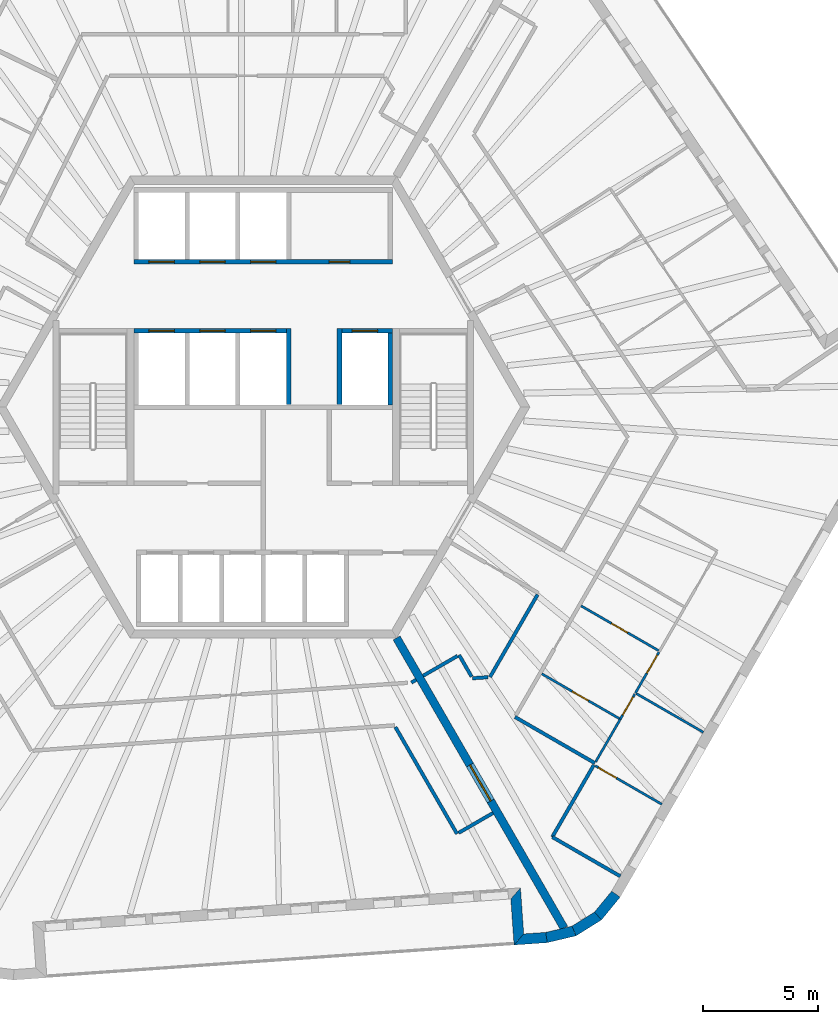
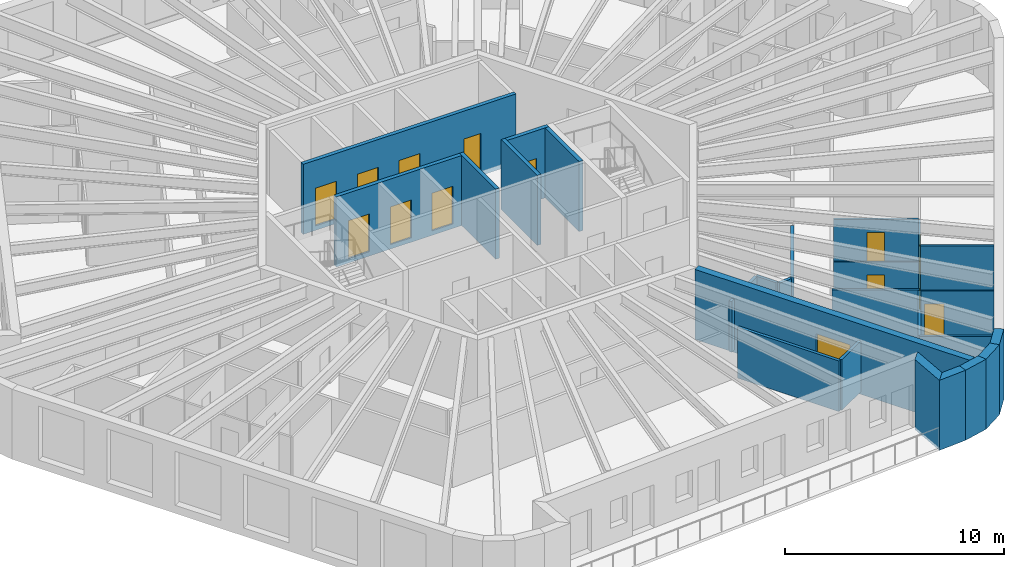
# One storey, part 5 of 11: 29 walls, 14 doors, 14 openings.
"""IFC4 building model written with IfcOpenShell, lengths in metres."""

from ifc_helpers import new_model, si_unit, direction, frame, frame_2d, origin, place, context, subcontext, project, spatial, polyline, rectangle, outline, extrude, material, layer, layer_set, type_object, element, fill, save


model = new_model("IFC4")

# Units and contexts
model_context = context("Model", 3, precision=1e-05, world=origin(), true_north=direction((0.0, 1.0)))
body_context = subcontext(model_context, "Body", "Model", "MODEL_VIEW")
ifc_project = project(units=[si_unit("LENGTHUNIT", "METRE"), si_unit("AREAUNIT", "SQUARE_METRE"), si_unit("VOLUMEUNIT", "CUBIC_METRE"), si_unit("PLANEANGLEUNIT", "RADIAN"), si_unit("MASSUNIT", "GRAM", prefix="KILO")], contexts=[model_context])

# Site, building, storey
site_placement = place(None, origin())
site = spatial("IfcSite", under=ifc_project, at=site_placement, CompositionType="ELEMENT")
building_placement = place(site_placement, origin())
building = spatial("IfcBuilding", under=site, at=building_placement, Name="Tarnside Tower", CompositionType="ELEMENT")
storey_placement = place(building_placement, frame((0.0, 0.0, 357.300048828125)))
storey = spatial("IfcBuildingStorey", under=building, at=storey_placement, Name="L86", CompositionType="ELEMENT", Elevation=357.300048828125)

# Wall, opening, door
ifc_material_1 = material(Name="Gypsum board partition on steel studs", Category="steel")
ifc_layer_1 = layer(ifc_material_1, 0.10009765625)
ifc_layer_set_1 = layer_set([ifc_layer_1], Name="Bathroom wall 100")
wall_type_1 = type_object("IfcWallType", Name="Bathroom wall 100", PredefinedType="PARTITIONING", material=ifc_layer_set_1)
wall_1_placement = place(storey_placement, frame((12.06396484375, -11.5546875, 0.0), z_axis=(0.0, 0.0, 1.0), x_axis=(0.866037464623, -0.499979109433, 0.0)))
wall_1 = element("IfcWall", 1, at=wall_1_placement, inside=storey, type_object=wall_type_1, Name="Bathroom wall 27113", PredefinedType="PARTITIONING", context=body_context, shape_type="SweptSolid", body=[
    extrude(rectangle(XDim=3.925048828125, YDim=0.10009765625, at=frame_2d((1.96240234375, 0.0))), origin(), (0.0, 0.0, 1.0), 2.820068359375),
])
opening_1_placement = place(wall_1_placement, frame((1.52490234375, 0.0, 0.0)))
opening_1 = element("IfcOpeningElement", 2, at=opening_1_placement, cuts=wall_1, Name="Opening D-B1", PredefinedType="OPENING", context=body_context, shape_type="SweptSolid", body=[
    extrude(rectangle(XDim=0.800048828125, YDim=2.10009765625, at=frame_2d((0.39990234375, 1.050048828125))), frame((0.0, 0.06005859375, 0.0), z_axis=(0.0, -1.0, 0.0), x_axis=(1.0, 0.0, 0.0)), (0.0, 0.0, 1.0), 0.1201171875),
])
ifc_material_2 = material(Name="Timber door leaf", Category="wood")
door_type_1 = type_object("IfcDoorType", Name="Bathroom door 800", OperationType="NOTDEFINED", PredefinedType="DOOR", material=ifc_material_2)
door_1_placement = place(opening_1_placement, origin())
door_1 = element("IfcDoor", 3, at=door_1_placement, inside=storey, type_object=door_type_1, Name="Bathroom door 27036", OperationType="SINGLE_SWING_RIGHT", OverallHeight=2.10009765625, OverallWidth=0.800048828125, PredefinedType="DOOR", context=body_context, shape_type="SweptSolid", body=[
    extrude(rectangle(XDim=0.800048828125, YDim=2.10009765625, at=frame_2d((0.39990234375, 1.050048828125))), frame((0.0, 0.02490234375, 0.0), z_axis=(0.0, -1.0, 0.0), x_axis=(1.0, 0.0, 0.0)), (0.0, 0.0, 1.0), 0.050048828125),
])
fill(opening_1, door_1)

wall_2_placement = place(storey_placement, frame((17.119873046875, -10.547607421875, 0.0), z_axis=(0.0, 0.0, 1.0), x_axis=(-0.866032409438, 0.499987865656, 0.0)))
wall_2 = element("IfcWall", 4, at=wall_2_placement, inside=storey, type_object=wall_type_1, Name="Bathroom wall 27115", PredefinedType="PARTITIONING", context=body_context, shape_type="SweptSolid", body=[
    extrude(rectangle(XDim=3.875, YDim=0.10009765625, at=frame_2d((1.9375, 0.0))), origin(), (0.0, 0.0, 1.0), 2.820068359375),
])
opening_2_placement = place(wall_2_placement, frame((1.550048828125, 0.0, 0.0)))
opening_2 = element("IfcOpeningElement", 5, at=opening_2_placement, cuts=wall_2, Name="Opening D-B1", PredefinedType="OPENING", context=body_context, shape_type="SweptSolid", body=[
    extrude(rectangle(XDim=0.800048828125, YDim=2.10009765625, at=frame_2d((0.39990234375, 1.050048828125))), frame((0.0, 0.06005859375, 0.0), z_axis=(0.0, -1.0, 0.0), x_axis=(1.0, 0.0, 0.0)), (0.0, 0.0, 1.0), 0.1201171875),
])
door_2_placement = place(opening_2_placement, origin())
door_2 = element("IfcDoor", 6, at=door_2_placement, inside=storey, type_object=door_type_1, Name="Bathroom door 27042", OperationType="SINGLE_SWING_LEFT", OverallHeight=2.10009765625, OverallWidth=0.800048828125, PredefinedType="DOOR", context=body_context, shape_type="SweptSolid", body=[
    extrude(rectangle(XDim=0.800048828125, YDim=2.10009765625, at=frame_2d((0.39990234375, 1.050048828125))), frame((0.0, 0.02490234375, 0.0), z_axis=(0.0, -1.0, 0.0), x_axis=(1.0, 0.0, 0.0)), (0.0, 0.0, 1.0), 0.050048828125),
])
fill(opening_2, door_2)

# Wall
wall_3_placement = place(storey_placement, frame((14.399658203125, -15.359130859375, 0.0), z_axis=(0.0, 0.0, 1.0), x_axis=(0.499987164874, 0.866032814021, 0.0)))
element("IfcWall", 7, at=wall_3_placement, inside=storey, type_object=wall_type_1, Name="Bathroom wall 27116", PredefinedType="PARTITIONING", context=body_context, shape_type="SweptSolid", body=[
    extrude(rectangle(XDim=2.12890625, YDim=0.10009765625, at=frame_2d((1.064453125, 0.0))), origin(), (0.0, 0.0, 1.0), 2.820068359375),
])

# Wall, opening, door
ifc_material_3 = material(Name="Concrete C50/60", Category="concrete")
ifc_layer_2 = layer(ifc_material_3, 0.35009765625)
ifc_layer_set_2 = layer_set([ifc_layer_2], Name="Core wall Z4 350 C50/60")
wall_type_2 = type_object("IfcWallType", Name="Core wall Z4 350 C50/60", PredefinedType="SHEAR", material=ifc_layer_set_2)
wall_4_placement = place(storey_placement, frame((5.7734375, -10.0, -0.150146484375), z_axis=(0.0, 0.0, 1.0), x_axis=(0.500007911273, -0.866020836161, 0.0)))
wall_4 = element("IfcWall", 8, at=wall_4_placement, inside=storey, type_object=wall_type_2, Name="L86 spine wall 3", PredefinedType="SHEAR", context=body_context, shape_type="SweptSolid", body=[
    extrude(rectangle(XDim=14.510498046875, YDim=0.35009765625, at=frame_2d((7.25537109375, 0.0))), origin(), (0.0, 0.0, 1.0), 3.900146484375),
])
opening_3_placement = place(wall_4_placement, frame((6.355224609375, 0.0, 0.14990234375)))
opening_3 = element("IfcOpeningElement", 9, at=opening_3_placement, cuts=wall_4, Name="Opening CD-SPN", PredefinedType="OPENING", context=body_context, shape_type="SweptSolid", body=[
    extrude(rectangle(XDim=1.800048828125, YDim=2.39990234375, at=frame_2d((0.89990234375, 1.199951171875))), frame((0.0, 0.18505859375, 0.0), z_axis=(0.0, -1.0, 0.0), x_axis=(1.0, 0.0, 0.0)), (0.0, 0.0, 1.0), 0.3701171875),
])
ifc_material_4 = material(Name="Steel fire door", Category="steel")
door_type_2 = type_object("IfcDoorType", Name="Spine passage double door FD60 1800x2400", OperationType="NOTDEFINED", PredefinedType="DOOR", material=ifc_material_4)
door_3_placement = place(opening_3_placement, origin())
door_3 = element("IfcDoor", 10, at=door_3_placement, inside=storey, type_object=door_type_2, Name="L86 spine passage door 3", OperationType="DOUBLE_DOOR_SINGLE_SWING", OverallHeight=2.39990234375, OverallWidth=1.800048828125, PredefinedType="DOOR", context=body_context, shape_type="SweptSolid", body=[
    extrude(rectangle(XDim=1.800048828125, YDim=2.39990234375, at=frame_2d((0.89990234375, 1.199951171875))), frame((0.0, 0.02490234375, 0.0), z_axis=(0.0, -1.0, 0.0), x_axis=(1.0, 0.0, 0.0)), (0.0, 0.0, 1.0), 0.050048828125),
])
fill(opening_3, door_3)

# Walls
ifc_layer_3 = layer(ifc_material_1, 0.14990234375)
ifc_layer_set_3 = layer_set([ifc_layer_3], Name="Corridor wall 150 EI 60")
wall_type_3 = type_object("IfcWallType", Name="Corridor wall 150 EI 60", PredefinedType="PARTITIONING", material=ifc_layer_set_3)
wall_5_placement = place(storey_placement, frame((5.721435546875, -13.859619140625, 0.0), z_axis=(0.0, 0.0, 1.0), x_axis=(0.499970524249, -0.866042420948, 0.0)))
element("IfcWall", 11, at=wall_5_placement, inside=storey, type_object=wall_type_3, Name="Corridor wall 27026", PredefinedType="PARTITIONING", context=body_context, shape_type="SweptSolid", body=[
    extrude(rectangle(XDim=5.338623046875, YDim=0.14990234375, at=frame_2d((2.66943359375, 0.0))), origin(), (0.0, 0.0, 1.0), 2.820068359375),
])
wall_6_placement = place(storey_placement, frame((8.455810546875, -18.44580078125, 0.0), z_axis=(0.0, 0.0, 1.0), x_axis=(0.866013532718, 0.500020560727, 0.0)))
element("IfcWall", 12, at=wall_6_placement, inside=storey, type_object=wall_type_3, Name="Corridor wall 27027", PredefinedType="PARTITIONING", context=body_context, shape_type="SweptSolid", body=[
    extrude(rectangle(XDim=1.72509765625, YDim=0.14990234375, at=frame_2d((0.862548828125, 0.0))), origin(), (0.0, 0.0, 1.0), 2.820068359375),
])
wall_7_placement = place(storey_placement, frame((6.61865234375, -11.81396484375, 0.0), z_axis=(0.0, 0.0, 1.0), x_axis=(-0.865544827262, -0.500831460673, 0.0)))
element("IfcWall", 13, at=wall_7_placement, inside=storey, type_object=wall_type_3, Name="Corridor wall 27039", PredefinedType="PARTITIONING", context=body_context, shape_type="SweptSolid", body=[
    extrude(rectangle(XDim=0.23486328125, YDim=0.14990234375, at=frame_2d((0.117431640625, 0.0))), origin(), (0.0, 0.0, 1.0), 2.820068359375),
])
wall_8_placement = place(storey_placement, frame((14.363037109375, -15.42236328125, 0.0), z_axis=(0.0, 0.0, 1.0), x_axis=(-0.866026010844, 0.49999894854, 0.0)))
element("IfcWall", 14, at=wall_8_placement, inside=storey, type_object=wall_type_3, Name="Corridor wall 27046", PredefinedType="PARTITIONING", context=body_context, shape_type="SweptSolid", body=[
    extrude(rectangle(XDim=4.0, YDim=0.14990234375, at=frame_2d((2.0, 0.0))), origin(), (0.0, 0.0, 1.0), 2.820068359375),
])
wall_9_placement = place(storey_placement, frame((12.516845703125, -18.6201171875, 0.0), z_axis=(0.0, 0.0, 1.0), x_axis=(0.500006299954, 0.866021766474, 0.0)))
element("IfcWall", 15, at=wall_9_placement, inside=storey, type_object=wall_type_3, Name="Corridor wall 27048", PredefinedType="PARTITIONING", context=body_context, shape_type="SweptSolid", body=[
    extrude(rectangle(XDim=3.5986328125, YDim=0.14990234375, at=frame_2d((1.79931640625, 0.0))), origin(), (0.0, 0.0, 1.0), 2.820068359375),
])
wall_10_placement = place(storey_placement, frame((15.460693359375, -20.3212890625, 0.0), z_axis=(0.0, 0.0, 1.0), x_axis=(-0.866010935101, 0.500025059658, 0.0)))
element("IfcWall", 16, at=wall_10_placement, inside=storey, type_object=wall_type_3, Name="Corridor wall 27049", PredefinedType="PARTITIONING", context=body_context, shape_type="SweptSolid", body=[
    extrude(rectangle(XDim=3.398681640625, YDim=0.14990234375, at=frame_2d((1.69921875, 0.0))), origin(), (0.0, 0.0, 1.0), 2.820068359375),
])
wall_11_placement = place(storey_placement, frame((11.87939453125, -8.124267578125, 0.0), z_axis=(0.0, 0.0, 1.0), x_axis=(-0.500006178143, -0.866021836803, 0.0)))
element("IfcWall", 17, at=wall_11_placement, inside=storey, type_object=wall_type_3, Name="Corridor wall 27063", PredefinedType="PARTITIONING", context=body_context, shape_type="SweptSolid", body=[
    extrude(rectangle(XDim=4.12158203125, YDim=0.14990234375, at=frame_2d((2.060791015625, 0.0))), origin(), (0.0, 0.0, 1.0), 2.820068359375),
])
wall_12_placement = place(storey_placement, frame((9.728515625, -11.699951171875, 0.0), z_axis=(0.0, 0.0, 1.0), x_axis=(-0.997585124395, -0.069454442519, 0.0)))
element("IfcWall", 18, at=wall_12_placement, inside=storey, type_object=wall_type_3, Name="Corridor wall 27064", PredefinedType="PARTITIONING", context=body_context, shape_type="SweptSolid", body=[
    extrude(rectangle(XDim=0.66796875, YDim=0.14990234375, at=frame_2d((0.333984375, 0.0))), origin(), (0.0, 0.0, 1.0), 2.820068359375),
])
wall_13_placement = place(storey_placement, frame((9.020751953125, -11.674072265625, 0.0), z_axis=(0.0, 0.0, 1.0), x_axis=(-0.500126914667, 0.865952117167, 0.0)))
element("IfcWall", 19, at=wall_13_placement, inside=storey, type_object=wall_type_3, Name="Corridor wall 27065", PredefinedType="PARTITIONING", context=body_context, shape_type="SweptSolid", body=[
    extrude(rectangle(XDim=1.079833984375, YDim=0.14990234375, at=frame_2d((0.5400390625, 0.0))), origin(), (0.0, 0.0, 1.0), 2.820068359375),
])
wall_14_placement = place(storey_placement, frame((8.415771484375, -10.776611328125, 0.0), z_axis=(0.0, 0.0, 1.0), x_axis=(-0.866074815912, -0.499914405916, 0.0)))
element("IfcWall", 20, at=wall_14_placement, inside=storey, type_object=wall_type_3, Name="Corridor wall 27066", PredefinedType="PARTITIONING", context=body_context, shape_type="SweptSolid", body=[
    extrude(rectangle(XDim=1.724853515625, YDim=0.14990234375, at=frame_2d((0.8623046875, 0.0))), origin(), (0.0, 0.0, 1.0), 2.820068359375),
])

# Wall, openings, doors
ifc_material_5 = material(Name="Concrete C40/50", Category="concrete")
ifc_layer_4 = layer(ifc_material_5, 0.199951171875)
ifc_layer_set_4 = layer_set([ifc_layer_4], Name="Lift shaft wall 200 C40/50")
wall_type_4 = type_object("IfcWallType", Name="Lift shaft wall 200 C40/50", PredefinedType="SHEAR", material=ifc_layer_set_4)
wall_15_placement = place(storey_placement, frame((-5.60009765625, 6.300048828125, -0.25), z_axis=(0.0, 0.0, 1.0), x_axis=(1.0, 0.0, 0.0)))
wall_15 = element("IfcWall", 21, at=wall_15_placement, inside=storey, type_object=wall_type_4, Name="L86 lift shaft front wall R1", PredefinedType="SHEAR", context=body_context, shape_type="SweptSolid", body=[
    extrude(rectangle(XDim=11.2001953125, YDim=0.199951171875, at=frame_2d((5.60009765625, 0.0))), origin(), (0.0, 0.0, 1.0), 3.89990234375),
])
opening_4_placement = place(wall_15_placement, frame((8.449951171875, 0.0, 0.25)))
opening_4 = element("IfcOpeningElement", 22, at=opening_4_placement, cuts=wall_15, Name="Opening CD-room", PredefinedType="OPENING", context=body_context, shape_type="SweptSolid", body=[
    extrude(rectangle(XDim=0.89990234375, YDim=2.10009765625, at=frame_2d((0.449951171875, 1.050048828125))), frame((0.0, 0.10986328125, 0.0), z_axis=(0.0, -1.0, 0.0), x_axis=(1.0, 0.0, 0.0)), (0.0, 0.0, 1.0), 0.219970703125),
])
opening_5_placement = place(wall_15_placement, frame((0.64990234375, 0.0, 0.25)))
opening_5 = element("IfcOpeningElement", 23, at=opening_5_placement, cuts=wall_15, Name="Opening LD", PredefinedType="OPENING", context=body_context, shape_type="SweptSolid", body=[
    extrude(rectangle(XDim=1.10009765625, YDim=2.10009765625, at=frame_2d((0.550048828125, 1.050048828125))), frame((0.0, 0.10986328125, 0.0), z_axis=(0.0, -1.0, 0.0), x_axis=(1.0, 0.0, 0.0)), (0.0, 0.0, 1.0), 0.219970703125),
])
opening_6_placement = place(wall_15_placement, frame((2.85009765625, 0.0, 0.25)))
opening_6 = element("IfcOpeningElement", 24, at=opening_6_placement, cuts=wall_15, Name="Opening LD", PredefinedType="OPENING", context=body_context, shape_type="SweptSolid", body=[
    extrude(rectangle(XDim=1.10009765625, YDim=2.10009765625, at=frame_2d((0.550048828125, 1.050048828125))), frame((0.0, 0.10986328125, 0.0), z_axis=(0.0, -1.0, 0.0), x_axis=(1.0, 0.0, 0.0)), (0.0, 0.0, 1.0), 0.219970703125),
])
opening_7_placement = place(wall_15_placement, frame((5.050048828125, 0.0, 0.25)))
opening_7 = element("IfcOpeningElement", 25, at=opening_7_placement, cuts=wall_15, Name="Opening LD", PredefinedType="OPENING", context=body_context, shape_type="SweptSolid", body=[
    extrude(rectangle(XDim=1.10009765625, YDim=2.10009765625, at=frame_2d((0.550048828125, 1.050048828125))), frame((0.0, 0.10986328125, 0.0), z_axis=(0.0, -1.0, 0.0), x_axis=(1.0, 0.0, 0.0)), (0.0, 0.0, 1.0), 0.219970703125),
])
ifc_material_6 = material(Name="Stainless steel", Category="steel")
door_type_3 = type_object("IfcDoorType", Name="Lift landing door 1100x2100", OperationType="NOTDEFINED", PredefinedType="DOOR", material=ifc_material_6)
door_4_placement = place(opening_5_placement, origin())
door_4 = element("IfcDoor", 26, at=door_4_placement, inside=storey, type_object=door_type_3, Name="High-rise lift 1 landing door L86", OperationType="SLIDING_TO_LEFT", OverallHeight=2.10009765625, OverallWidth=1.10009765625, PredefinedType="DOOR", context=body_context, shape_type="SweptSolid", body=[
    extrude(rectangle(XDim=1.10009765625, YDim=2.10009765625, at=frame_2d((0.550048828125, 1.050048828125))), frame((0.0, 0.02490234375, 0.0), z_axis=(0.0, -1.0, 0.0), x_axis=(1.0, 0.0, 0.0)), (0.0, 0.0, 1.0), 0.050048828125),
])
fill(opening_5, door_4)
door_5_placement = place(opening_6_placement, origin())
door_5 = element("IfcDoor", 27, at=door_5_placement, inside=storey, type_object=door_type_3, Name="High-rise lift 2 landing door L86", OperationType="SLIDING_TO_LEFT", OverallHeight=2.10009765625, OverallWidth=1.10009765625, PredefinedType="DOOR", context=body_context, shape_type="SweptSolid", body=[
    extrude(rectangle(XDim=1.10009765625, YDim=2.10009765625, at=frame_2d((0.550048828125, 1.050048828125))), frame((0.0, 0.02490234375, 0.0), z_axis=(0.0, -1.0, 0.0), x_axis=(1.0, 0.0, 0.0)), (0.0, 0.0, 1.0), 0.050048828125),
])
fill(opening_6, door_5)
door_6_placement = place(opening_7_placement, origin())
door_6 = element("IfcDoor", 28, at=door_6_placement, inside=storey, type_object=door_type_3, Name="High-rise lift 3 landing door L86", OperationType="SLIDING_TO_LEFT", OverallHeight=2.10009765625, OverallWidth=1.10009765625, PredefinedType="DOOR", context=body_context, shape_type="SweptSolid", body=[
    extrude(rectangle(XDim=1.10009765625, YDim=2.10009765625, at=frame_2d((0.550048828125, 1.050048828125))), frame((0.0, 0.02490234375, 0.0), z_axis=(0.0, -1.0, 0.0), x_axis=(1.0, 0.0, 0.0)), (0.0, 0.0, 1.0), 0.050048828125),
])
fill(opening_7, door_6)
door_type_4 = type_object("IfcDoorType", Name="Room door FD60 900x2100", OperationType="NOTDEFINED", PredefinedType="DOOR", material=ifc_material_4)
door_7_placement = place(opening_4_placement, origin())
door_7 = element("IfcDoor", 29, at=door_7_placement, inside=storey, type_object=door_type_4, Name="L86 core room door FC1", OperationType="SINGLE_SWING_LEFT", OverallHeight=2.10009765625, OverallWidth=0.89990234375, PredefinedType="DOOR", context=body_context, shape_type="SweptSolid", body=[
    extrude(rectangle(XDim=0.89990234375, YDim=2.10009765625, at=frame_2d((0.449951171875, 1.050048828125))), frame((0.0, 0.02490234375, 0.0), z_axis=(0.0, -1.0, 0.0), x_axis=(1.0, 0.0, 0.0)), (0.0, 0.0, 1.0), 0.050048828125),
])
fill(opening_4, door_7)

wall_16_placement = place(storey_placement, frame((-5.60009765625, 3.300048828125, -0.25), z_axis=(0.0, 0.0, 1.0), x_axis=(1.0, 0.0, 0.0)))
wall_16 = element("IfcWall", 30, at=wall_16_placement, inside=storey, type_object=wall_type_4, Name="L86 lift shaft front wall R2", PredefinedType="SHEAR", context=body_context, shape_type="SweptSolid", body=[
    extrude(rectangle(XDim=6.60009765625, YDim=0.199951171875, at=frame_2d((3.300048828125, 0.0))), origin(), (0.0, 0.0, 1.0), 3.89990234375),
])
opening_8_placement = place(wall_16_placement, frame((0.64990234375, 0.0, 0.25)))
opening_8 = element("IfcOpeningElement", 31, at=opening_8_placement, cuts=wall_16, Name="Opening LD", PredefinedType="OPENING", context=body_context, shape_type="SweptSolid", body=[
    extrude(rectangle(XDim=1.10009765625, YDim=2.10009765625, at=frame_2d((0.550048828125, 1.050048828125))), frame((0.0, 0.10986328125, 0.0), z_axis=(0.0, -1.0, 0.0), x_axis=(1.0, 0.0, 0.0)), (0.0, 0.0, 1.0), 0.219970703125),
])
opening_9_placement = place(wall_16_placement, frame((2.85009765625, 0.0, 0.25)))
opening_9 = element("IfcOpeningElement", 32, at=opening_9_placement, cuts=wall_16, Name="Opening LD", PredefinedType="OPENING", context=body_context, shape_type="SweptSolid", body=[
    extrude(rectangle(XDim=1.10009765625, YDim=2.10009765625, at=frame_2d((0.550048828125, 1.050048828125))), frame((0.0, 0.10986328125, 0.0), z_axis=(0.0, -1.0, 0.0), x_axis=(1.0, 0.0, 0.0)), (0.0, 0.0, 1.0), 0.219970703125),
])
opening_10_placement = place(wall_16_placement, frame((5.050048828125, 0.0, 0.25)))
opening_10 = element("IfcOpeningElement", 33, at=opening_10_placement, cuts=wall_16, Name="Opening LD", PredefinedType="OPENING", context=body_context, shape_type="SweptSolid", body=[
    extrude(rectangle(XDim=1.10009765625, YDim=2.10009765625, at=frame_2d((0.550048828125, 1.050048828125))), frame((0.0, 0.10986328125, 0.0), z_axis=(0.0, -1.0, 0.0), x_axis=(1.0, 0.0, 0.0)), (0.0, 0.0, 1.0), 0.219970703125),
])
door_8_placement = place(opening_8_placement, origin())
door_8 = element("IfcDoor", 34, at=door_8_placement, inside=storey, type_object=door_type_3, Name="High-rise lift 4 landing door L86", OperationType="SLIDING_TO_LEFT", OverallHeight=2.10009765625, OverallWidth=1.10009765625, PredefinedType="DOOR", context=body_context, shape_type="SweptSolid", body=[
    extrude(rectangle(XDim=1.10009765625, YDim=2.10009765625, at=frame_2d((0.550048828125, 1.050048828125))), frame((0.0, 0.02490234375, 0.0), z_axis=(0.0, -1.0, 0.0), x_axis=(1.0, 0.0, 0.0)), (0.0, 0.0, 1.0), 0.050048828125),
])
fill(opening_8, door_8)
door_9_placement = place(opening_9_placement, origin())
door_9 = element("IfcDoor", 35, at=door_9_placement, inside=storey, type_object=door_type_3, Name="High-rise lift 5 landing door L86", OperationType="SLIDING_TO_LEFT", OverallHeight=2.10009765625, OverallWidth=1.10009765625, PredefinedType="DOOR", context=body_context, shape_type="SweptSolid", body=[
    extrude(rectangle(XDim=1.10009765625, YDim=2.10009765625, at=frame_2d((0.550048828125, 1.050048828125))), frame((0.0, 0.02490234375, 0.0), z_axis=(0.0, -1.0, 0.0), x_axis=(1.0, 0.0, 0.0)), (0.0, 0.0, 1.0), 0.050048828125),
])
fill(opening_9, door_9)
door_10_placement = place(opening_10_placement, origin())
door_10 = element("IfcDoor", 36, at=door_10_placement, inside=storey, type_object=door_type_3, Name="High-rise lift 6 landing door L86", OperationType="SLIDING_TO_LEFT", OverallHeight=2.10009765625, OverallWidth=1.10009765625, PredefinedType="DOOR", context=body_context, shape_type="SweptSolid", body=[
    extrude(rectangle(XDim=1.10009765625, YDim=2.10009765625, at=frame_2d((0.550048828125, 1.050048828125))), frame((0.0, 0.02490234375, 0.0), z_axis=(0.0, -1.0, 0.0), x_axis=(1.0, 0.0, 0.0)), (0.0, 0.0, 1.0), 0.050048828125),
])
fill(opening_10, door_10)

# Wall, opening, door
wall_17_placement = place(storey_placement, frame((3.39990234375, 3.300048828125, -0.25), z_axis=(0.0, 0.0, 1.0), x_axis=(1.0, 0.0, 0.0)))
wall_17 = element("IfcWall", 37, at=wall_17_placement, inside=storey, type_object=wall_type_4, Name="L86 lift shaft front wall R2 2", PredefinedType="SHEAR", context=body_context, shape_type="SweptSolid", body=[
    extrude(rectangle(XDim=2.2001953125, YDim=0.199951171875, at=frame_2d((1.10009765625, 0.0))), origin(), (0.0, 0.0, 1.0), 3.89990234375),
])
opening_11_placement = place(wall_17_placement, frame((0.449951171875, 0.0, 0.25)))
opening_11 = element("IfcOpeningElement", 38, at=opening_11_placement, cuts=wall_17, Name="Opening LD", PredefinedType="OPENING", context=body_context, shape_type="SweptSolid", body=[
    extrude(rectangle(XDim=1.10009765625, YDim=2.10009765625, at=frame_2d((0.550048828125, 1.050048828125))), frame((0.0, 0.10986328125, 0.0), z_axis=(0.0, -1.0, 0.0), x_axis=(1.0, 0.0, 0.0)), (0.0, 0.0, 1.0), 0.219970703125),
])
door_11_placement = place(opening_11_placement, origin())
door_11 = element("IfcDoor", 39, at=door_11_placement, inside=storey, type_object=door_type_3, Name="Express sky-lobby shuttle 2 landing door L86", OperationType="SLIDING_TO_LEFT", OverallHeight=2.10009765625, OverallWidth=1.10009765625, PredefinedType="DOOR", context=body_context, shape_type="SweptSolid", body=[
    extrude(rectangle(XDim=1.10009765625, YDim=2.10009765625, at=frame_2d((0.550048828125, 1.050048828125))), frame((0.0, 0.02490234375, 0.0), z_axis=(0.0, -1.0, 0.0), x_axis=(1.0, 0.0, 0.0)), (0.0, 0.0, 1.0), 0.050048828125),
])
fill(opening_11, door_11)

# Walls
for number, where, z_axis, x_axis, name in (
    (40, (1.10009765625, 0.10009765625, -0.25), (0.0, 0.0, 1.0), (0.0, 1.0, 0.0), "L86 lift shaft partition R24"),
    (41, (3.300048828125, 0.10009765625, -0.25), (0.0, 0.0, 1.0), (0.0, 1.0, 0.0), "L86 lift shaft partition R25"),
):
    element("IfcWall", number, at=place(storey_placement, frame(where, z_axis=z_axis, x_axis=x_axis)), inside=storey, type_object=wall_type_4, Name=name, PredefinedType="SHEAR", context=body_context, shape_type="SweptSolid", body=[
        extrude(rectangle(XDim=3.2998046875, YDim=0.199951171875, at=frame_2d((1.64990234375, 0.0))), origin(), (0.0, 0.0, 1.0), 3.89990234375),
    ])
wall_18_placement = place(storey_placement, frame((5.5, 0.10009765625, -0.25), z_axis=(0.0, 0.0, 1.0), x_axis=(0.0, 1.0, 0.0)))
element("IfcWall", 42, at=wall_18_placement, inside=storey, type_object=wall_type_4, Name="L86 lift shaft partition R26", PredefinedType="SHEAR", context=body_context, shape_type="SweptSolid", body=[
    extrude(rectangle(XDim=3.099853515625, YDim=0.199951171875, at=frame_2d((1.5498046875, 0.0))), origin(), (0.0, 0.0, 1.0), 3.89990234375),
])
ifc_material_7 = material(Name="Dark zinc cladding")
ifc_layer_5 = layer(ifc_material_7, 0.10205078125)
ifc_material_8 = material(Name="Concrete C60/75 precast", Category="concrete")
ifc_layer_6 = layer(ifc_material_8, 0.248046875)
ifc_material_9 = material(Name="Mineral wool insulation")
ifc_layer_7 = layer(ifc_material_9, 0.10009765625)
ifc_layer_set_5 = layer_set([ifc_layer_5, ifc_layer_6, ifc_layer_7], Name="Loggia wall 450 zinc faced")
wall_type_5 = type_object("IfcWallType", Name="Loggia wall 450 zinc faced", PredefinedType="SOLIDWALL", material=ifc_layer_set_5)
wall_19_placement = place(storey_placement, frame((10.93017578125, -21.06396484375, -0.150146484375), z_axis=(0.0, 0.0, 1.0), x_axis=(0.069702791886, -0.99756780261, 0.0)))
element("IfcWall", 43, at=wall_19_placement, inside=storey, type_object=wall_type_5, Name="Tube wall L86 F4 return 19", PredefinedType="SOLIDWALL", context=body_context, shape_type="SweptSolid", body=[
    extrude(outline(polyline([(0.224853515625, -0.22509765625), (2.22509765625, -0.22509765625), (1.77490234375, 0.22509765625), (-0.224853515625, 0.22509765625), (0.224853515625, -0.22509765625)])), origin(), (0.0, 0.0, 1.0), 3.900146484375),
])
wall_20_placement = place(storey_placement, frame((11.069580078125, -23.05908203125, -0.150146484375), z_axis=(0.0, 0.0, 1.0), x_axis=(0.997562933087, 0.069772448216, 0.0)))
element("IfcWall", 44, at=wall_20_placement, inside=storey, type_object=wall_type_5, Name="Tube wall L86 F4 stub 20", PredefinedType="SOLIDWALL", context=body_context, shape_type="SweptSolid", body=[
    extrude(outline(polyline([(-0.224853515625, -0.22509765625), (1.218505859375, -0.22509765625), (1.181884765625, 0.22509765625), (0.224853515625, 0.22509765625), (-0.224853515625, -0.22509765625)])), origin(), (0.0, 0.0, 1.0), 3.900146484375),
])

# Wall, opening, door
ifc_layer_8 = layer(ifc_material_1, 0.10009765625)
ifc_layer_set_6 = layer_set([ifc_layer_8], Name="Partition 100")
wall_type_6 = type_object("IfcWallType", Name="Partition 100", PredefinedType="PARTITIONING", material=ifc_layer_set_6)
wall_21_placement = place(storey_placement, frame((17.13818359375, -10.615966796875, 0.0), z_axis=(0.0, 0.0, 1.0), x_axis=(-0.500015134316, -0.866016665807, 0.0)))
wall_21 = element("IfcWall", 45, at=wall_21_placement, inside=storey, type_object=wall_type_6, Name="Partition wall 27104", PredefinedType="PARTITIONING", context=body_context, shape_type="SweptSolid", body=[
    extrude(rectangle(XDim=2.0458984375, YDim=0.10009765625, at=frame_2d((1.02294921875, 0.0))), origin(), (0.0, 0.0, 1.0), 2.820068359375),
])
opening_12_placement = place(wall_21_placement, frame((0.14990234375, 0.0, 0.0)))
opening_12 = element("IfcOpeningElement", 46, at=opening_12_placement, cuts=wall_21, Name="Opening D-I1", PredefinedType="OPENING", context=body_context, shape_type="SweptSolid", body=[
    extrude(rectangle(XDim=0.89990234375, YDim=2.10009765625, at=frame_2d((0.449951171875, 1.050048828125))), frame((0.0, 0.06005859375, 0.0), z_axis=(0.0, -1.0, 0.0), x_axis=(1.0, 0.0, 0.0)), (0.0, 0.0, 1.0), 0.1201171875),
])
door_type_5 = type_object("IfcDoorType", Name="Internal door 900", OperationType="NOTDEFINED", PredefinedType="DOOR", material=ifc_material_2)
door_12_placement = place(opening_12_placement, origin())
door_12 = element("IfcDoor", 47, at=door_12_placement, inside=storey, type_object=door_type_5, Name="Internal door 27037", OperationType="SINGLE_SWING_RIGHT", OverallHeight=2.10009765625, OverallWidth=0.89990234375, PredefinedType="DOOR", context=body_context, shape_type="SweptSolid", body=[
    extrude(rectangle(XDim=0.89990234375, YDim=2.10009765625, at=frame_2d((0.449951171875, 1.050048828125))), frame((0.0, 0.02490234375, 0.0), z_axis=(0.0, -1.0, 0.0), x_axis=(1.0, 0.0, 0.0)), (0.0, 0.0, 1.0), 0.050048828125),
])
fill(opening_12, door_12)

# Wall
wall_22_placement = place(storey_placement, frame((16.159423828125, -12.410888671875, 0.0), z_axis=(0.0, 0.0, 1.0), x_axis=(0.866032680314, -0.499987396469, 0.0)))
element("IfcWall", 48, at=wall_22_placement, inside=storey, type_object=wall_type_6, Name="Partition wall 27105", PredefinedType="PARTITIONING", context=body_context, shape_type="SweptSolid", body=[
    extrude(rectangle(XDim=3.35009765625, YDim=0.10009765625, at=frame_2d((1.675048828125, 0.0))), origin(), (0.0, 0.0, 1.0), 2.820068359375),
])

# Wall, opening, door
wall_23_placement = place(storey_placement, frame((15.462158203125, -13.518798828125, 0.0), z_axis=(0.0, 0.0, 1.0), x_axis=(0.50004158446, 0.866001393654, 0.0)))
wall_23 = element("IfcWall", 49, at=wall_23_placement, inside=storey, type_object=wall_type_6, Name="Partition wall 27114", PredefinedType="PARTITIONING", context=body_context, shape_type="SweptSolid", body=[
    extrude(rectangle(XDim=1.25830078125, YDim=0.10009765625, at=frame_2d((0.629150390625, 0.0))), origin(), (0.0, 0.0, 1.0), 2.820068359375),
])
opening_13_placement = place(wall_23_placement, frame((0.205078125, 0.0, 0.0)))
opening_13 = element("IfcOpeningElement", 50, at=opening_13_placement, cuts=wall_23, Name="Opening D-I1", PredefinedType="OPENING", context=body_context, shape_type="SweptSolid", body=[
    extrude(rectangle(XDim=0.89990234375, YDim=2.10009765625, at=frame_2d((0.449951171875, 1.050048828125))), frame((0.0, 0.06005859375, 0.0), z_axis=(0.0, -1.0, 0.0), x_axis=(1.0, 0.0, 0.0)), (0.0, 0.0, 1.0), 0.1201171875),
])
door_13_placement = place(opening_13_placement, origin())
door_13 = element("IfcDoor", 51, at=door_13_placement, inside=storey, type_object=door_type_5, Name="Internal door 27041", OperationType="SINGLE_SWING_LEFT", OverallHeight=2.10009765625, OverallWidth=0.89990234375, PredefinedType="DOOR", context=body_context, shape_type="SweptSolid", body=[
    extrude(rectangle(XDim=0.89990234375, YDim=2.10009765625, at=frame_2d((0.449951171875, 1.050048828125))), frame((0.0, 0.02490234375, 0.0), z_axis=(0.0, -1.0, 0.0), x_axis=(1.0, 0.0, 0.0)), (0.0, 0.0, 1.0), 0.050048828125),
])
fill(opening_13, door_13)

wall_24_placement = place(storey_placement, frame((17.2607421875, -17.20361328125, 0.0), z_axis=(0.0, 0.0, 1.0), x_axis=(-0.866020521143, 0.500008456887, 0.0)))
wall_24 = element("IfcWall", 52, at=wall_24_placement, inside=storey, type_object=wall_type_6, Name="Partition wall 27117", PredefinedType="PARTITIONING", context=body_context, shape_type="SweptSolid", body=[
    extrude(rectangle(XDim=3.3251953125, YDim=0.10009765625, at=frame_2d((1.66259765625, 0.0))), origin(), (0.0, 0.0, 1.0), 2.820068359375),
])
opening_14_placement = place(wall_24_placement, frame((2.27490234375, 0.0, 0.0)))
opening_14 = element("IfcOpeningElement", 53, at=opening_14_placement, cuts=wall_24, Name="Opening D-I1", PredefinedType="OPENING", context=body_context, shape_type="SweptSolid", body=[
    extrude(rectangle(XDim=0.89990234375, YDim=2.10009765625, at=frame_2d((0.449951171875, 1.050048828125))), frame((0.0, 0.06005859375, 0.0), z_axis=(0.0, -1.0, 0.0), x_axis=(1.0, 0.0, 0.0)), (0.0, 0.0, 1.0), 0.1201171875),
])
door_14_placement = place(opening_14_placement, origin())
door_14 = element("IfcDoor", 54, at=door_14_placement, inside=storey, type_object=door_type_5, Name="Internal door 27040", OperationType="SINGLE_SWING_RIGHT", OverallHeight=2.10009765625, OverallWidth=0.89990234375, PredefinedType="DOOR", context=body_context, shape_type="SweptSolid", body=[
    extrude(rectangle(XDim=0.89990234375, YDim=2.10009765625, at=frame_2d((0.449951171875, 1.050048828125))), frame((0.0, 0.02490234375, 0.0), z_axis=(0.0, -1.0, 0.0), x_axis=(1.0, 0.0, 0.0)), (0.0, 0.0, 1.0), 0.050048828125),
])
fill(opening_14, door_14)

# Walls
ifc_material_10 = material(Name="Facing brick", Category="masonry")
ifc_layer_9 = layer(ifc_material_10, 0.10205078125)
ifc_layer_10 = layer(ifc_material_8, 0.248046875)
ifc_layer_11 = layer(ifc_material_9, 0.10009765625)
ifc_layer_set_7 = layer_set([ifc_layer_9, ifc_layer_10, ifc_layer_11], Name="Tube wall 450 brick faced")
wall_type_7 = type_object("IfcWallType", Name="Tube wall 450 brick faced", PredefinedType="SOLIDWALL", material=ifc_layer_set_7)
wall_25_placement = place(storey_placement, frame((12.266845703125, -22.975341796875, -0.150146484375), z_axis=(0.0, 0.0, 1.0), x_axis=(0.973026131006, 0.230694924913, 0.0)))
element("IfcWall", 55, at=wall_25_placement, inside=storey, type_object=wall_type_7, Name="Tube wall L86 F4 chord 21", PredefinedType="SOLIDWALL", context=body_context, shape_type="SweptSolid", body=[
    extrude(outline(polyline([(-0.018310546875, -0.22509765625), (1.26123046875, -0.22509765625), (1.1875, 0.22509765625), (0.018310546875, 0.22509765625), (-0.018310546875, -0.22509765625)])), origin(), (0.0, 0.0, 1.0), 3.900146484375),
])
wall_26_placement = place(storey_placement, frame((13.458251953125, -22.69287109375, -0.150146484375), z_axis=(0.0, 0.0, 1.0), x_axis=(0.848009505552, 0.529981017107, 0.0)))
element("IfcWall", 56, at=wall_26_placement, inside=storey, type_object=wall_type_7, Name="Tube wall L86 F4 chord 22", PredefinedType="SOLIDWALL", context=body_context, shape_type="SweptSolid", body=[
    extrude(outline(polyline([(-0.036865234375, -0.22509765625), (1.26123046875, -0.22509765625), (1.1875, 0.22509765625), (0.036865234375, 0.22509765625), (-0.036865234375, -0.22509765625)])), origin(), (0.0, 0.0, 1.0), 3.900146484375),
])
wall_27_placement = place(storey_placement, frame((14.49658203125, -22.0439453125, -0.150146484375), z_axis=(0.0, 0.0, 1.0), x_axis=(0.633867343651, 0.773441782329, 0.0)))
element("IfcWall", 57, at=wall_27_placement, inside=storey, type_object=wall_type_7, Name="Tube wall L86 F4 chord 23", PredefinedType="SOLIDWALL", context=body_context, shape_type="SweptSolid", body=[
    extrude(outline(polyline([(-0.036865234375, -0.22509765625), (1.24267578125, -0.22509765625), (1.2060546875, 0.22509765625), (0.036865234375, 0.22509765625), (-0.036865234375, -0.22509765625)])), origin(), (0.0, 0.0, 1.0), 3.900146484375),
])

save(model, "model.ifc")
